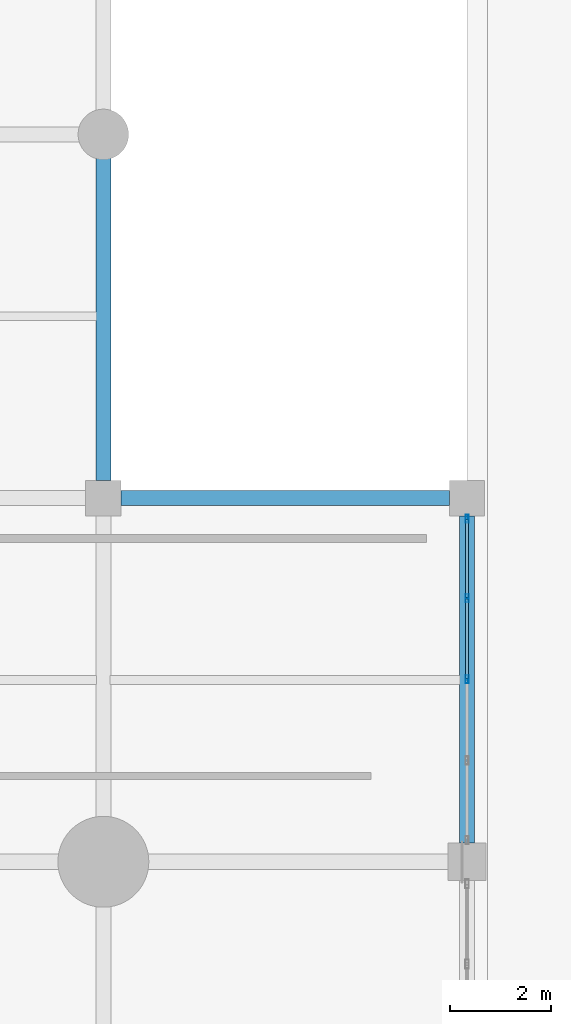
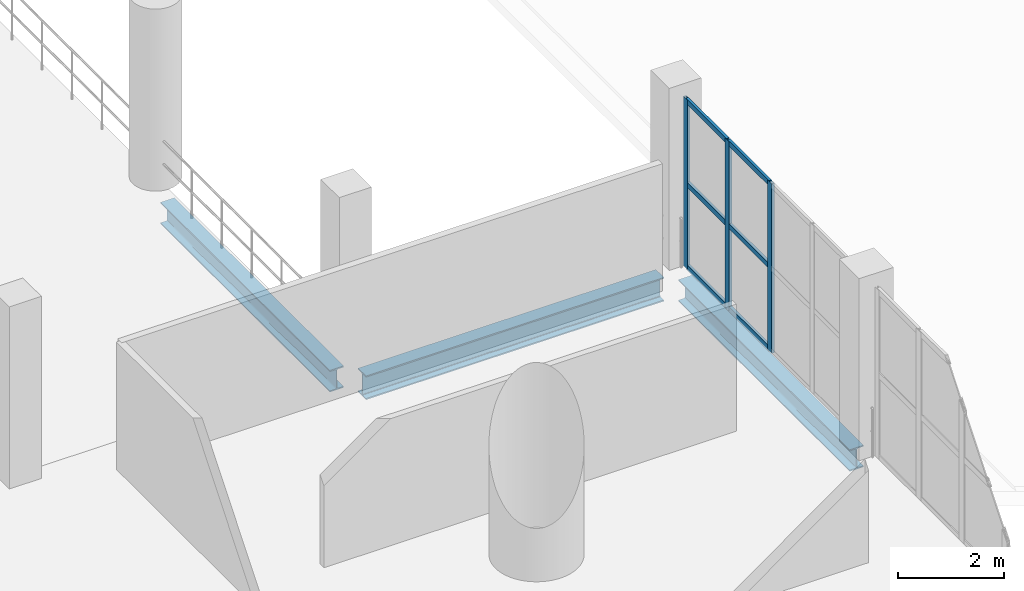
# One storey, part 68 of 130: 9 members, 3 beams, 1 element without a shape of its own.
"""IFC4 building model written with IfcOpenShell, lengths in metres."""

from ifc_helpers import new_model, si_unit, direction, frame, origin, origin_2d, place, context, subcontext, project, spatial, hollow_rectangle, i_section, extrude, material, material_profile, profile_set, type_object, element, aggregate, save


model = new_model("IFC4")

# Units and contexts
model_context = context("Model", 3, precision=1e-05, world=origin(), true_north=direction((0.0, 1.0)))
body_context = subcontext(model_context, "Body", "Model", "MODEL_VIEW")
ifc_project = project(units=[si_unit("LENGTHUNIT", "METRE"), si_unit("AREAUNIT", "SQUARE_METRE"), si_unit("VOLUMEUNIT", "CUBIC_METRE"), si_unit("PLANEANGLEUNIT", "RADIAN"), si_unit("MASSUNIT", "GRAM", prefix="KILO")], contexts=[model_context])

# Site, building, storey
site_placement = place(None, origin())
site = spatial("IfcSite", under=ifc_project, at=site_placement, CompositionType="ELEMENT")
building_placement = place(site_placement, origin())
building = spatial("IfcBuilding", under=site, at=building_placement, Name="Qandorah Velis Arena", CompositionType="ELEMENT")
storey_placement = place(building_placement, frame((0.0, 0.0, 9.60009765625)))
storey = spatial("IfcBuildingStorey", under=building, at=storey_placement, Name="L02", CompositionType="ELEMENT", Elevation=9.60009765625)

# Curtain wall, members
ifc_material_1 = material(Name="Solar-control low-E double glazing", Category="glass")
curtain_wall_type = type_object("IfcCurtainWallType", Name="ARC-CW-SYS07", PredefinedType="USERDEFINED", material=ifc_material_1)
curtain_wall_placement = place(storey_placement, origin())
curtain_wall = element("IfcCurtainWall", 1, at=curtain_wall_placement, inside=storey, type_object=curtain_wall_type, Name="Unitised curtain wall L02-175", ObjectType="UNITISED CURTAIN WALL", PredefinedType="USERDEFINED")
ifc_material_2 = material(Name="Champagne-bronze anodized aluminium 6063-T6", Category="aluminium")
ifc_material_profile_1 = material_profile(ifc_material_2, hollow_rectangle(XDim=0.06005859375, YDim=0.159912109375, WallThickness=0.00341796875, at=origin_2d()), Name="ALU MULLION 60x160")
ifc_profile_set_1 = profile_set([ifc_material_profile_1], Name="Champagne-bronze anodized aluminium 6063-T6")
member_type_1 = type_object("IfcMemberType", Name="ARC-CWM-160", PredefinedType="MULLION", material=ifc_profile_set_1)
member_1_placement = place(storey_placement, frame((122.39990234375, 104.41259765625, -0.01513671875), z_axis=(0.0, 0.0, 1.0), x_axis=(-1.0, 0.0, 0.0)))
member_1 = element("IfcMember", 2, at=member_1_placement, type_object=member_type_1, Name="CW07 mullion 3", PredefinedType="MULLION", context=body_context, shape_type="SweptSolid", body=[
    extrude(hollow_rectangle(XDim=0.06005859375, YDim=0.159912109375, WallThickness=0.00341796875, at=origin_2d()), origin(), (0.0, 0.0, 1.0), 3.91015625),
])
member_2_placement = place(storey_placement, frame((122.39990234375, 106.018798828125, -0.01513671875), z_axis=(0.0, 0.0, 1.0), x_axis=(-1.0, 0.0, 0.0)))
member_2 = element("IfcMember", 3, at=member_2_placement, type_object=member_type_1, Name="CW07 mullion 4", PredefinedType="MULLION", context=body_context, shape_type="SweptSolid", body=[
    extrude(hollow_rectangle(XDim=0.06005859375, YDim=0.159912109375, WallThickness=0.00341796875, at=origin_2d()), origin(), (0.0, 0.0, 1.0), 3.91015625),
])
member_3_placement = place(storey_placement, frame((122.39990234375, 107.594970703125, -0.01513671875), z_axis=(0.0, 0.0, 1.0), x_axis=(-1.0, 0.0, 0.0)))
member_3 = element("IfcMember", 4, at=member_3_placement, type_object=member_type_1, Name="CW07 mullion 5", PredefinedType="MULLION", context=body_context, shape_type="SweptSolid", body=[
    extrude(hollow_rectangle(XDim=0.06005859375, YDim=0.159912109375, WallThickness=0.00341796875, at=origin_2d()), origin(), (0.0, 0.0, 1.0), 3.91015625),
])
ifc_material_profile_2 = material_profile(ifc_material_2, hollow_rectangle(XDim=0.06005859375, YDim=0.1201171875, WallThickness=0.0029296875, at=origin_2d()), Name="ALU TRANSOM 60x120")
ifc_profile_set_2 = profile_set([ifc_material_profile_2], Name="Champagne-bronze anodized aluminium 6063-T6")
member_type_2 = type_object("IfcMemberType", Name="ARC-CWT-120", PredefinedType="USERDEFINED", material=ifc_profile_set_2)
member_4_placement = place(storey_placement, frame((122.39990234375, 104.430419921875, 0.02978515625), z_axis=(0.0, 1.0, 0.0), x_axis=(-1.0, 0.0, 0.0)))
member_4 = element("IfcMember", 5, at=member_4_placement, type_object=member_type_2, Name="CW07 transom 3.1", ObjectType="TRANSOM", PredefinedType="USERDEFINED", context=body_context, shape_type="SweptSolid", body=[
    extrude(hollow_rectangle(XDim=0.06005859375, YDim=0.1201171875, WallThickness=0.0029296875, at=origin_2d()), origin(), (0.0, 0.0, 1.0), 1.5703125),
])
member_5_placement = place(storey_placement, frame((122.39990234375, 104.430419921875, 1.93994140625), z_axis=(0.0, 1.0, 0.0), x_axis=(-1.0, 0.0, 0.0)))
member_5 = element("IfcMember", 6, at=member_5_placement, type_object=member_type_2, Name="CW07 transom 3.2", ObjectType="TRANSOM", PredefinedType="USERDEFINED", context=body_context, shape_type="SweptSolid", body=[
    extrude(hollow_rectangle(XDim=0.06005859375, YDim=0.1201171875, WallThickness=0.0029296875, at=origin_2d()), origin(), (0.0, 0.0, 1.0), 1.5703125),
])
member_6_placement = place(storey_placement, frame((122.39990234375, 104.430419921875, 3.849853515625), z_axis=(0.0, 1.0, 0.0), x_axis=(-1.0, 0.0, 0.0)))
member_6 = element("IfcMember", 7, at=member_6_placement, type_object=member_type_2, Name="CW07 transom 3.3", ObjectType="TRANSOM", PredefinedType="USERDEFINED", context=body_context, shape_type="SweptSolid", body=[
    extrude(hollow_rectangle(XDim=0.06005859375, YDim=0.1201171875, WallThickness=0.0029296875, at=origin_2d()), origin(), (0.0, 0.0, 1.0), 1.5703125),
])
member_7_placement = place(storey_placement, frame((122.39990234375, 106.03662109375, 0.02978515625), z_axis=(0.0, 1.0, 0.0), x_axis=(-1.0, 0.0, 0.0)))
member_7 = element("IfcMember", 8, at=member_7_placement, type_object=member_type_2, Name="CW07 transom 4.1", ObjectType="TRANSOM", PredefinedType="USERDEFINED", context=body_context, shape_type="SweptSolid", body=[
    extrude(hollow_rectangle(XDim=0.06005859375, YDim=0.1201171875, WallThickness=0.0029296875, at=origin_2d()), origin(), (0.0, 0.0, 1.0), 1.540283203125),
])
member_8_placement = place(storey_placement, frame((122.39990234375, 106.03662109375, 1.93994140625), z_axis=(0.0, 1.0, 0.0), x_axis=(-1.0, 0.0, 0.0)))
member_8 = element("IfcMember", 9, at=member_8_placement, type_object=member_type_2, Name="CW07 transom 4.2", ObjectType="TRANSOM", PredefinedType="USERDEFINED", context=body_context, shape_type="SweptSolid", body=[
    extrude(hollow_rectangle(XDim=0.06005859375, YDim=0.1201171875, WallThickness=0.0029296875, at=origin_2d()), origin(), (0.0, 0.0, 1.0), 1.540283203125),
])
member_9_placement = place(storey_placement, frame((122.39990234375, 106.03662109375, 3.849853515625), z_axis=(0.0, 1.0, 0.0), x_axis=(-1.0, 0.0, 0.0)))
member_9 = element("IfcMember", 10, at=member_9_placement, type_object=member_type_2, Name="CW07 transom 4.3", ObjectType="TRANSOM", PredefinedType="USERDEFINED", context=body_context, shape_type="SweptSolid", body=[
    extrude(hollow_rectangle(XDim=0.06005859375, YDim=0.1201171875, WallThickness=0.0029296875, at=origin_2d()), origin(), (0.0, 0.0, 1.0), 1.540283203125),
])
aggregate(curtain_wall, [member_1, member_2, member_3, member_4, member_5, member_6, member_7, member_8, member_9])

# Beams
ifc_material_3 = material(Name="Steel S355", Category="steel")
ifc_material_profile_3 = material_profile(ifc_material_3, i_section(OverallWidth=0.300048828125, OverallDepth=0.5, WebThickness=0.014404296875, FlangeThickness=0.028076171875, FilletRadius=0.027099609375, at=origin_2d()), Name="HEB 500")
ifc_profile_set_3 = profile_set([ifc_material_profile_3], Name="Steel S355")
beam_type_1 = type_object("IfcBeamType", Name="STR-BM-HEB500", PredefinedType="BEAM", material=ifc_profile_set_3)
beam_1_placement = place(storey_placement, frame((115.199951171875, 108.35009765625, -0.530029296875), z_axis=(0.0, 1.0, 0.0), x_axis=(-1.0, 0.0, 0.0)))
element("IfcBeam", 11, at=beam_1_placement, inside=storey, type_object=beam_type_1, Name="Primary floor girder L02 Y-319", PredefinedType="BEAM", context=body_context, shape_type="SweptSolid", body=[
    extrude(i_section(OverallWidth=0.300048828125, OverallDepth=0.5, WebThickness=0.014404296875, FlangeThickness=0.028076171875, FilletRadius=0.027099609375, at=origin_2d()), origin(), (0.0, 0.0, 1.0), 6.39990234375),
])
beam_2_placement = place(storey_placement, frame((122.39990234375, 101.175048828125, -0.530029296875), z_axis=(0.0, 1.0, 0.0), x_axis=(-1.0, 0.0, 0.0)))
element("IfcBeam", 12, at=beam_2_placement, inside=storey, type_object=beam_type_1, Name="Primary floor girder L02 Y-328", PredefinedType="BEAM", context=body_context, shape_type="SweptSolid", body=[
    extrude(i_section(OverallWidth=0.300048828125, OverallDepth=0.5, WebThickness=0.014404296875, FlangeThickness=0.028076171875, FilletRadius=0.027099609375, at=origin_2d()), origin(), (0.0, 0.0, 1.0), 6.474853515625),
])
ifc_material_profile_4 = material_profile(ifc_material_3, i_section(OverallWidth=0.300048828125, OverallDepth=0.550048828125, WebThickness=0.014892578125, FlangeThickness=0.029052734375, FilletRadius=0.027099609375, at=origin_2d()), Name="HEB 550")
ifc_profile_set_4 = profile_set([ifc_material_profile_4], Name="Steel S355")
beam_type_2 = type_object("IfcBeamType", Name="STR-BM-HEB550", PredefinedType="BEAM", material=ifc_profile_set_4)
beam_3_placement = place(storey_placement, frame((115.550048828125, 108.0, -0.55517578125), z_axis=(1.0, 0.0, 0.0), x_axis=(0.0, 1.0, 0.0)))
element("IfcBeam", 13, at=beam_3_placement, inside=storey, type_object=beam_type_2, Name="Primary floor girder L02 X-143", PredefinedType="BEAM", context=body_context, shape_type="SweptSolid", body=[
    extrude(i_section(OverallWidth=0.300048828125, OverallDepth=0.550048828125, WebThickness=0.014892578125, FlangeThickness=0.029052734375, FilletRadius=0.027099609375, at=origin_2d()), origin(), (0.0, 0.0, 1.0), 6.5),
])

save(model, "model.ifc")
